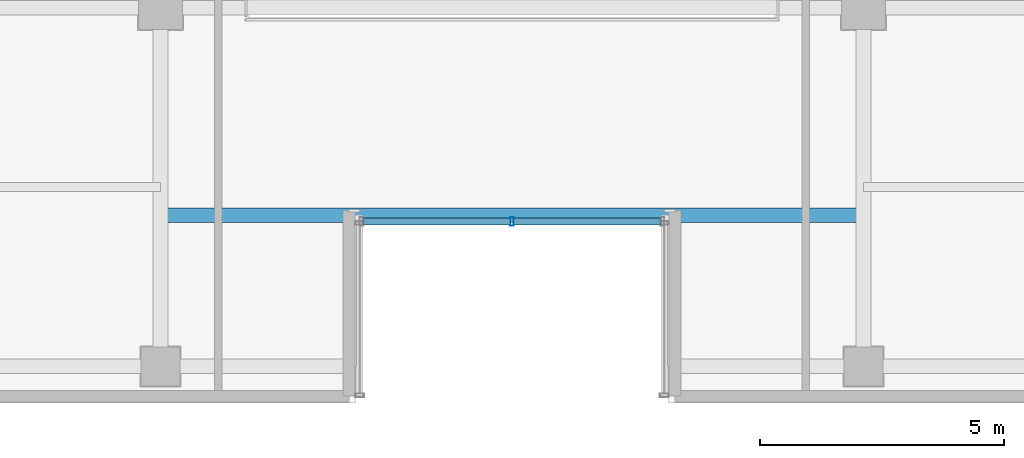
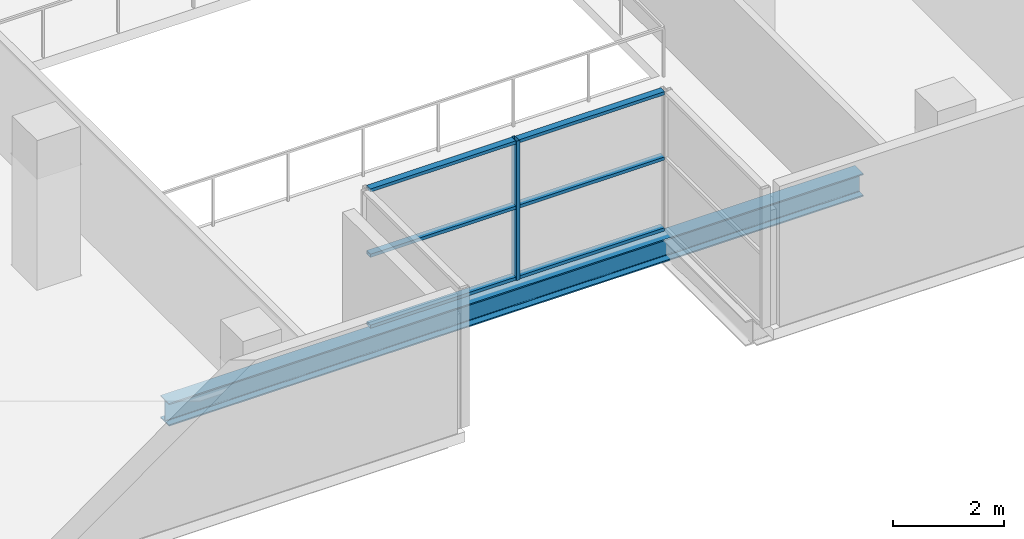
# One storey, part 6 of 27: 7 members, 1 beam, 1 element without a shape of its own.
"""IFC4 building model written with IfcOpenShell, lengths in metres."""

from ifc_helpers import new_model, si_unit, direction, frame, origin, origin_2d, place, context, subcontext, project, spatial, hollow_rectangle, i_section, extrude, source, transform, mapped, material, layer, layer_set, material_profile, profile_set, type_object, element, aggregate, save


model = new_model("IFC4")

# Units and contexts
model_context = context("Model", 3, precision=1e-05, world=origin(), true_north=direction((0.0, 1.0)))
body_context = subcontext(model_context, "Body", "Model", "MODEL_VIEW")
ifc_project = project(units=[si_unit("LENGTHUNIT", "METRE"), si_unit("AREAUNIT", "SQUARE_METRE"), si_unit("VOLUMEUNIT", "CUBIC_METRE"), si_unit("PLANEANGLEUNIT", "RADIAN"), si_unit("MASSUNIT", "GRAM", prefix="KILO")], contexts=[model_context])

# Site, building, storey
site_placement = place(None, origin())
site = spatial("IfcSite", under=ifc_project, at=site_placement, CompositionType="ELEMENT")
building_placement = place(site_placement, origin())
building = spatial("IfcBuilding", under=site, at=building_placement, Name="Zarnakvel Exchange Tower", CompositionType="ELEMENT")
storey_placement = place(building_placement, frame((0.0, 0.0, 106.60009765625)))
storey = spatial("IfcBuildingStorey", under=building, at=storey_placement, Name="L29", CompositionType="ELEMENT", Elevation=106.60009765625)

# Beam
ifc_material_1 = material(Name="Steel S355", Category="steel")
ifc_material_profile_1 = material_profile(ifc_material_1, i_section(OverallWidth=0.300048828125, OverallDepth=0.5, WebThickness=0.014404296875, FlangeThickness=0.028076171875, FilletRadius=0.027099609375, at=origin_2d()))
ifc_profile_set_1 = profile_set([ifc_material_profile_1], Name="Steel S355")
beam_type = type_object("IfcBeamType", Name="SP-02", PredefinedType="SPANDREL", material=ifc_profile_set_1)
beam_placement = place(storey_placement, frame((-7.199951171875, -13.85009765625, -0.47509765625), z_axis=(1.0, 0.0, 0.0), x_axis=(0.0, 1.0, 0.0)))
element("IfcBeam", 1, at=beam_placement, inside=storey, type_object=beam_type, Name="L29 South Slot Head Trimmer Girder", PredefinedType="SPANDREL", context=body_context, shape_type="SweptSolid", body=[
    extrude(i_section(OverallWidth=0.300048828125, OverallDepth=0.5, WebThickness=0.014404296875, FlangeThickness=0.028076171875, FilletRadius=0.027099609375, at=origin_2d()), origin(), (0.0, 0.0, 1.0), 14.39990234375),
])

# Curtain wall, members
ifc_material_2 = material(Name="Architectural Bronze Anodised Aluminium", Category="aluminium")
ifc_layer = layer(ifc_material_2, 0.179931640625)
ifc_layer_set = layer_set([ifc_layer], Name="Architectural Bronze Anodised Aluminium")
curtain_wall_type = type_object("IfcCurtainWallType", Name="CW-05", PredefinedType="NOTDEFINED", material=ifc_layer_set)
curtain_wall_placement = place(storey_placement, origin())
curtain_wall = element("IfcCurtainWall", 2, at=curtain_wall_placement, inside=storey, type_object=curtain_wall_type, Name="L29 Curtain Wall CW-L29-SLB (CW-05)", PredefinedType="NOTDEFINED")
ifc_material_profile_2 = material_profile(ifc_material_2, hollow_rectangle(XDim=0.139892578125, YDim=0.070068359375, WallThickness=0.00390625, at=origin_2d()))
ifc_profile_set_2 = profile_set([ifc_material_profile_2], Name="Architectural Bronze Anodised Aluminium")
member_type_1 = type_object("IfcMemberType", Name="CWT-05", PredefinedType="USERDEFINED", material=ifc_profile_set_2)
shared_shape_1 = source(origin(), body_context, "Body", "SweptSolid", [
    extrude(hollow_rectangle(XDim=0.139892578125, YDim=0.070068359375, WallThickness=0.00390625, at=origin_2d()), origin(), (0.0, 0.0, 1.0), 3.01513671875),
])
member_1_placement = place(storey_placement, frame((-3.050048828125, -13.97998046875, 0.034912109375), z_axis=(1.0, 0.0, 0.0), x_axis=(0.0, 1.0, 0.0)))
member_1 = element("IfcMember", 3, at=member_1_placement, type_object=member_type_1, Name="CW-05 transom 1.1", ObjectType="TRANSOM", PredefinedType="USERDEFINED", context=body_context, shape_type="MappedRepresentation", body=[
    mapped(shared_shape_1, transform((0.0, 0.0, 0.0), x_axis=(1.0, 0.0, 0.0), y_axis=(0.0, 1.0, 0.0), z_axis=(0.0, 0.0, 1.0), scale=1.0)),
])
member_2_placement = place(storey_placement, frame((-3.050048828125, -13.97998046875, 1.588623046875), z_axis=(1.0, 0.0, 0.0), x_axis=(0.0, 1.0, 0.0)))
member_2 = element("IfcMember", 4, at=member_2_placement, type_object=member_type_1, Name="CW-05 transom 1.2", ObjectType="TRANSOM", PredefinedType="USERDEFINED", context=body_context, shape_type="MappedRepresentation", body=[
    mapped(shared_shape_1, transform((0.0, 0.0, 0.0), x_axis=(1.0, 0.0, 0.0), y_axis=(0.0, 1.0, 0.0), z_axis=(0.0, 0.0, 1.0), scale=1.0)),
])
member_3_placement = place(storey_placement, frame((-3.050048828125, -13.97998046875, 3.02001953125), z_axis=(1.0, 0.0, 0.0), x_axis=(0.0, 1.0, 0.0)))
member_3 = element("IfcMember", 5, at=member_3_placement, type_object=member_type_1, Name="CW-05 transom 1.3", ObjectType="TRANSOM", PredefinedType="USERDEFINED", context=body_context, shape_type="MappedRepresentation", body=[
    mapped(shared_shape_1, transform((0.0, 0.0, 0.0), x_axis=(1.0, 0.0, 0.0), y_axis=(0.0, 1.0, 0.0), z_axis=(0.0, 0.0, 1.0), scale=1.0)),
])
member_4_placement = place(storey_placement, frame((0.034912109375, -13.97998046875, 0.034912109375), z_axis=(1.0, 0.0, 0.0), x_axis=(0.0, 1.0, 0.0)))
member_4 = element("IfcMember", 6, at=member_4_placement, type_object=member_type_1, Name="CW-05 transom 2.1", ObjectType="TRANSOM", PredefinedType="USERDEFINED", context=body_context, shape_type="MappedRepresentation", body=[
    mapped(shared_shape_1, transform((0.0, 0.0, 0.0), x_axis=(1.0, 0.0, 0.0), y_axis=(0.0, 1.0, 0.0), z_axis=(0.0, 0.0, 1.0), scale=1.0)),
])
member_5_placement = place(storey_placement, frame((0.034912109375, -13.97998046875, 1.588623046875), z_axis=(1.0, 0.0, 0.0), x_axis=(0.0, 1.0, 0.0)))
member_5 = element("IfcMember", 7, at=member_5_placement, type_object=member_type_1, Name="CW-05 transom 2.2", ObjectType="TRANSOM", PredefinedType="USERDEFINED", context=body_context, shape_type="MappedRepresentation", body=[
    mapped(shared_shape_1, transform((0.0, 0.0, 0.0), x_axis=(1.0, 0.0, 0.0), y_axis=(0.0, 1.0, 0.0), z_axis=(0.0, 0.0, 1.0), scale=1.0)),
])
member_6_placement = place(storey_placement, frame((0.034912109375, -13.97998046875, 3.02001953125), z_axis=(1.0, 0.0, 0.0), x_axis=(0.0, 1.0, 0.0)))
member_6 = element("IfcMember", 8, at=member_6_placement, type_object=member_type_1, Name="CW-05 transom 2.3", ObjectType="TRANSOM", PredefinedType="USERDEFINED", context=body_context, shape_type="MappedRepresentation", body=[
    mapped(shared_shape_1, transform((0.0, 0.0, 0.0), x_axis=(1.0, 0.0, 0.0), y_axis=(0.0, 1.0, 0.0), z_axis=(0.0, 0.0, 1.0), scale=1.0)),
])
ifc_material_profile_3 = material_profile(ifc_material_2, hollow_rectangle(XDim=0.179931640625, YDim=0.070068359375, WallThickness=0.00390625, at=origin_2d()))
ifc_profile_set_3 = profile_set([ifc_material_profile_3], Name="Architectural Bronze Anodised Aluminium")
member_type_2 = type_object("IfcMemberType", Name="CWM-05", PredefinedType="MULLION", material=ifc_profile_set_3)
shared_shape_2 = source(origin(), body_context, "Body", "SweptSolid", [
    extrude(hollow_rectangle(XDim=0.179931640625, YDim=0.070068359375, WallThickness=0.00390625, at=origin_2d()), origin(), (0.0, 0.0, 1.0), 3.054931640625),
])
member_7_placement = place(storey_placement, frame((0.0, -13.97998046875, 0.0), z_axis=(0.0, 0.0, 1.0), x_axis=(0.0, 1.0, 0.0)))
member_7 = element("IfcMember", 9, at=member_7_placement, type_object=member_type_2, Name="CW-05 mullion 2", PredefinedType="MULLION", context=body_context, shape_type="MappedRepresentation", body=[
    mapped(shared_shape_2, transform((0.0, 0.0, 0.0), x_axis=(1.0, 0.0, 0.0), y_axis=(0.0, 1.0, 0.0), z_axis=(0.0, 0.0, 1.0), scale=1.0)),
])
aggregate(curtain_wall, [member_7, member_1, member_2, member_3, member_4, member_5, member_6])

save(model, "model.ifc")
